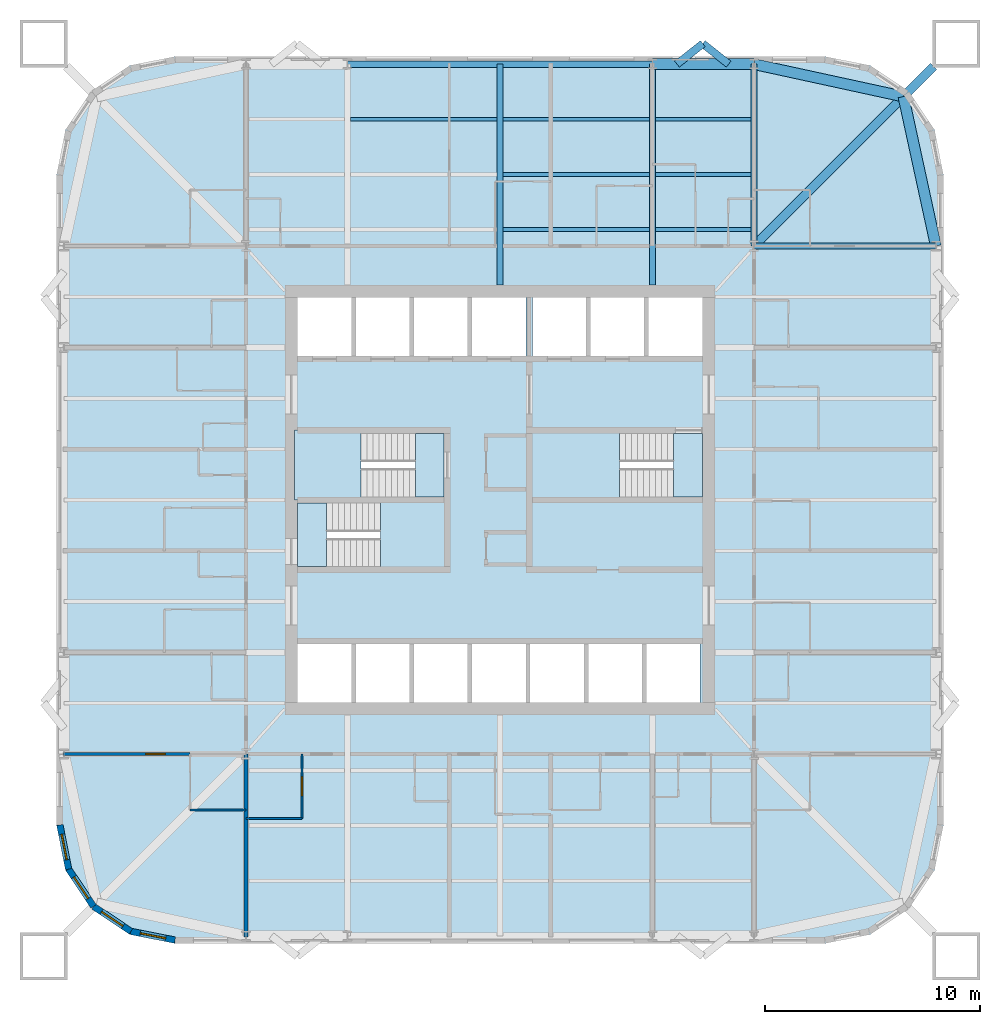
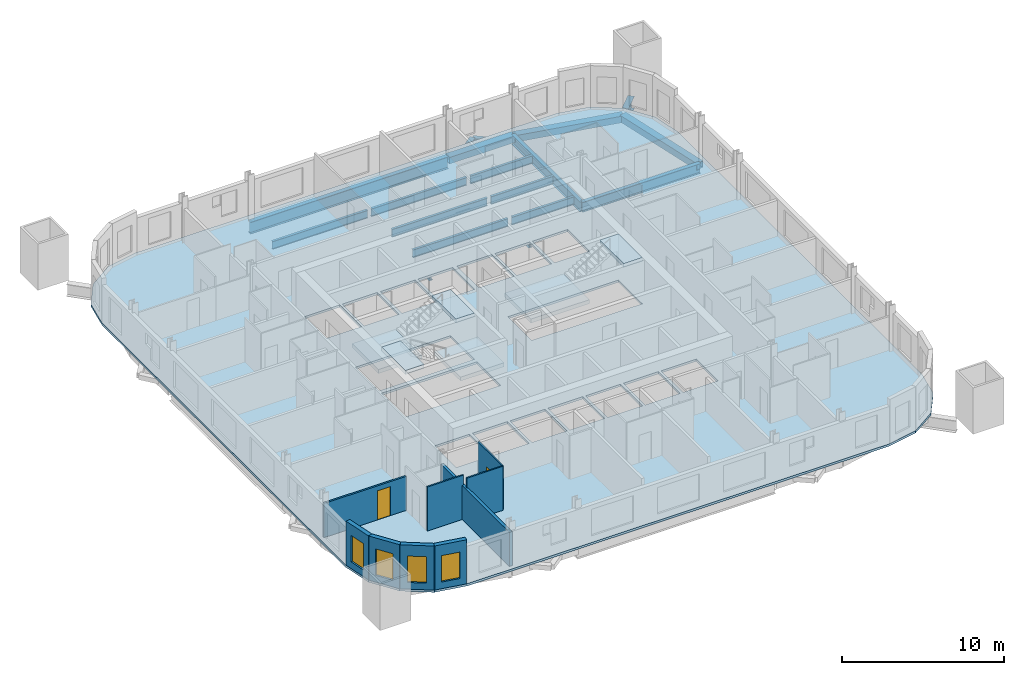
# One storey, part 2 of 10: 18 beams, 9 walls, 7 slabs, 4 windows, 2 doors, 6 openings, 3 elements without a shape of their own.
"""IFC4 building model written with IfcOpenShell, lengths in metres."""

from ifc_helpers import new_model, si_unit, direction, frame, frame_2d, origin, origin_2d, place, context, subcontext, project, spatial, polyline, rectangle, hollow_rectangle, i_section, outline, extrude, material, layer, layer_set, material_profile, profile_set, type_object, element, fill, aggregate, save


model = new_model("IFC4")

# Units and contexts
model_context = context("Model", 3, precision=1e-05, world=origin(), true_north=direction((0.0, 1.0)))
body_context = subcontext(model_context, "Body", "Model", "MODEL_VIEW")
ifc_project = project(units=[si_unit("LENGTHUNIT", "METRE"), si_unit("AREAUNIT", "SQUARE_METRE"), si_unit("VOLUMEUNIT", "CUBIC_METRE"), si_unit("PLANEANGLEUNIT", "RADIAN"), si_unit("MASSUNIT", "GRAM", prefix="KILO")], contexts=[model_context])

# Site, building, storey
site_placement = place(None, origin())
site = spatial("IfcSite", under=ifc_project, at=site_placement, CompositionType="ELEMENT")
building_placement = place(site_placement, origin())
building = spatial("IfcBuilding", under=site, at=building_placement, Name="Turquesa Mirador Hotel Tower", CompositionType="ELEMENT")
storey_placement = place(building_placement, frame((0.0, 0.0, 138.89990234375)))
storey = spatial("IfcBuildingStorey", under=building, at=storey_placement, Name="L37", CompositionType="ELEMENT", Elevation=138.89990234375)

# Beams
ifc_material_1 = material(Name="Steel ASTM A572 Grade 50", Category="steel")
ifc_material_profile_1 = material_profile(ifc_material_1, hollow_rectangle(XDim=0.5, YDim=0.5, WallThickness=0.01611328125, at=origin_2d()), Name="BOX500X500X16")
ifc_profile_set_1 = profile_set([ifc_material_profile_1], Name="Steel ASTM A572 Grade 50")
beam_type_1 = type_object("IfcBeamType", Name="BEAM BOX500X500X16", PredefinedType="BEAM", material=ifc_profile_set_1)
beam_1_placement = place(storey_placement, frame((62.080078125, 65.25, -0.419921875), z_axis=(1.0, 0.0, 0.0), x_axis=(0.0, 1.0, 0.0)))
element("IfcBeam", 1, at=beam_1_placement, inside=storey, type_object=beam_type_1, Name="EB-L37-N-R", PredefinedType="BEAM", context=body_context, shape_type="SweptSolid", body=[
    extrude(hollow_rectangle(XDim=0.5, YDim=0.5, WallThickness=0.01611328125, at=origin_2d()), origin(), (0.0, 0.0, 1.0), 4.719970703125),
])
for number, where, z_axis, x_axis, name in (
    (2, (75.25, 56.800048828125, -0.419921875), (-0.212328336885, 0.977198381781, 0.0), (-0.977198381781, -0.212328336885, 0.0), "KE-L37-1-0"),
    (3, (73.74169921875, 63.74169921875, -0.419921875), (-0.977198381781, 0.212328336885, 0.0), (-0.212328336885, -0.977198381781, 0.0), "KE-L37-1-1"),
):
    element("IfcBeam", number, at=place(storey_placement, frame(where, z_axis=z_axis, x_axis=x_axis)), inside=storey, type_object=beam_type_1, Name=name, PredefinedType="BEAM", context=body_context, shape_type="SweptSolid", body=[
        extrude(hollow_rectangle(XDim=0.5, YDim=0.5, WallThickness=0.01611328125, at=origin_2d()), origin(), (0.0, 0.0, 1.0), 7.103515625),
    ])
ifc_material_2 = material(Name="Steel ASTM A992 Grade 50", Category="steel")
ifc_material_profile_2 = material_profile(ifc_material_2, i_section(OverallWidth=0.177978515625, OverallDepth=0.599365234375, WebThickness=0.010009765625, FlangeThickness=0.012939453125, at=origin_2d()), Name="W24X55")
ifc_profile_set_2 = profile_set([ifc_material_profile_2], Name="Steel ASTM A992 Grade 50")
beam_type_2 = type_object("IfcBeamType", Name="BEAM W24X55", PredefinedType="BEAM", material=ifc_profile_set_2)
beam_2_placement = place(storey_placement, frame((55.13330078125, 57.56201171875, -0.4697265625), z_axis=(1.0, 0.0, 0.0), x_axis=(0.0, 1.0, 0.0)))
element("IfcBeam", 4, at=beam_2_placement, inside=storey, type_object=beam_type_2, Name="IB-L37-N-1-2", PredefinedType="BEAM", context=body_context, shape_type="SweptSolid", body=[
    extrude(i_section(OverallWidth=0.177978515625, OverallDepth=0.599365234375, WebThickness=0.010009765625, FlangeThickness=0.012939453125, at=origin_2d()), origin(), (0.0, 0.0, 1.0), 6.813232421875),
])
beam_3_placement = place(storey_placement, frame((62.21337890625, 57.56201171875, -0.4697265625), z_axis=(1.0, 0.0, 0.0), x_axis=(0.0, 1.0, 0.0)))
element("IfcBeam", 5, at=beam_3_placement, inside=storey, type_object=beam_type_2, Name="IB-L37-N-1-3", PredefinedType="BEAM", context=body_context, shape_type="SweptSolid", body=[
    extrude(i_section(OverallWidth=0.177978515625, OverallDepth=0.599365234375, WebThickness=0.010009765625, FlangeThickness=0.012939453125, at=origin_2d()), origin(), (0.0, 0.0, 1.0), 4.453369140625),
])
beam_4_placement = place(storey_placement, frame((55.13330078125, 60.125, -0.4697265625), z_axis=(1.0, 0.0, 0.0), x_axis=(0.0, 1.0, 0.0)))
element("IfcBeam", 6, at=beam_4_placement, inside=storey, type_object=beam_type_2, Name="IB-L37-N-2-2", PredefinedType="BEAM", context=body_context, shape_type="SweptSolid", body=[
    extrude(i_section(OverallWidth=0.177978515625, OverallDepth=0.599365234375, WebThickness=0.010009765625, FlangeThickness=0.012939453125, at=origin_2d()), origin(), (0.0, 0.0, 1.0), 6.813232421875),
])
beam_5_placement = place(storey_placement, frame((62.21337890625, 60.125, -0.4697265625), z_axis=(1.0, 0.0, 0.0), x_axis=(0.0, 1.0, 0.0)))
element("IfcBeam", 7, at=beam_5_placement, inside=storey, type_object=beam_type_2, Name="IB-L37-N-2-3", PredefinedType="BEAM", context=body_context, shape_type="SweptSolid", body=[
    extrude(i_section(OverallWidth=0.177978515625, OverallDepth=0.599365234375, WebThickness=0.010009765625, FlangeThickness=0.012939453125, at=origin_2d()), origin(), (0.0, 0.0, 1.0), 4.453369140625),
])
for number, where, z_axis, x_axis, name in (
    (8, (48.053466796875, 62.68798828125, -0.4697265625), (1.0, 0.0, 0.0), (0.0, 1.0, 0.0), "IB-L37-N-3-1"),
    (9, (55.13330078125, 62.68798828125, -0.4697265625), (1.0, 0.0, 0.0), (0.0, 1.0, 0.0), "IB-L37-N-3-2"),
):
    element("IfcBeam", number, at=place(storey_placement, frame(where, z_axis=z_axis, x_axis=x_axis)), inside=storey, type_object=beam_type_2, Name=name, PredefinedType="BEAM", context=body_context, shape_type="SweptSolid", body=[
        extrude(i_section(OverallWidth=0.177978515625, OverallDepth=0.599365234375, WebThickness=0.010009765625, FlangeThickness=0.012939453125, at=origin_2d()), origin(), (0.0, 0.0, 1.0), 6.813232421875),
    ])
beam_6_placement = place(storey_placement, frame((62.21337890625, 62.68798828125, -0.4697265625), z_axis=(1.0, 0.0, 0.0), x_axis=(0.0, 1.0, 0.0)))
element("IfcBeam", 10, at=beam_6_placement, inside=storey, type_object=beam_type_2, Name="IB-L37-N-3-3", PredefinedType="BEAM", context=body_context, shape_type="SweptSolid", body=[
    extrude(i_section(OverallWidth=0.177978515625, OverallDepth=0.599365234375, WebThickness=0.010009765625, FlangeThickness=0.012939453125, at=origin_2d()), origin(), (0.0, 0.0, 1.0), 4.453369140625),
])
ifc_material_3 = material(Name="Steel ASTM A992 Grade 50", Category="steel")
ifc_material_profile_3 = material_profile(ifc_material_3, i_section(OverallWidth=0.2666015625, OverallDepth=0.7568359375, WebThickness=0.013916015625, FlangeThickness=0.019287109375, at=origin_2d()), Name="W30X108")
ifc_profile_set_3 = profile_set([ifc_material_profile_3], Name="Steel ASTM A992 Grade 50")
beam_type_3 = type_object("IfcBeamType", Name="BEAM W30X108", PredefinedType="BEAM", material=ifc_profile_set_3)
for number, where, z_axis, x_axis, name in (
    (11, (62.080078125, 65.25, -0.54833984375), (0.0, -1.0, 0.0), (1.0, 0.0, 0.0), "GD-L37-N-+7.08"),
    (12, (55.0, 65.25, -0.54833984375), (0.0, -1.0, 0.0), (1.0, 0.0, 0.0), "GD-L37-N-+0.00"),
):
    element("IfcBeam", number, at=place(storey_placement, frame(where, z_axis=z_axis, x_axis=x_axis)), inside=storey, type_object=beam_type_3, Name=name, PredefinedType="BEAM", context=body_context, shape_type="SweptSolid", body=[
        extrude(i_section(OverallWidth=0.2666015625, OverallDepth=0.7568359375, WebThickness=0.013916015625, FlangeThickness=0.019287109375, at=origin_2d()), origin(), (0.0, 0.0, 1.0), 10.25),
    ])
for number, where, z_axis, x_axis, name in (
    (13, (66.800048828125, 65.25, -0.54833984375), (0.0, -1.0, 0.0), (1.0, 0.0, 0.0), "GK-L37-N-+11.80"),
    (14, (75.25, 56.800048828125, -0.54833984375), (-1.0, 0.0, 0.0), (0.0, -1.0, 0.0), "GK-L37-E-+11.80"),
):
    element("IfcBeam", number, at=place(storey_placement, frame(where, z_axis=z_axis, x_axis=x_axis)), inside=storey, type_object=beam_type_3, Name=name, PredefinedType="BEAM", context=body_context, shape_type="SweptSolid", body=[
        extrude(i_section(OverallWidth=0.2666015625, OverallDepth=0.7568359375, WebThickness=0.013916015625, FlangeThickness=0.019287109375, at=origin_2d()), origin(), (0.0, 0.0, 1.0), 8.449951171875),
    ])
ifc_material_4 = material(Name="Steel ASTM A992 Grade 50", Category="steel")
ifc_material_profile_4 = material_profile(ifc_material_4, i_section(OverallWidth=0.3046875, OverallDepth=0.911865234375, WebThickness=0.015869140625, FlangeThickness=0.02392578125, at=origin_2d()), Name="W36X150")
ifc_profile_set_4 = profile_set([ifc_material_profile_4], Name="Steel ASTM A992 Grade 50")
beam_type_4 = type_object("IfcBeamType", Name="BEAM W36X150", PredefinedType="BEAM", material=ifc_profile_set_4)
beam_7_placement = place(storey_placement, frame((47.919921875, 65.25, -0.625732421875), z_axis=(1.0, 0.0, 0.0), x_axis=(0.0, 1.0, 0.0)))
element("IfcBeam", 15, at=beam_7_placement, inside=storey, type_object=beam_type_4, Name="EB-L37-N-C", PredefinedType="BEAM", context=body_context, shape_type="SweptSolid", body=[
    extrude(i_section(OverallWidth=0.3046875, OverallDepth=0.911865234375, WebThickness=0.015869140625, FlangeThickness=0.02392578125, at=origin_2d()), origin(), (0.0, 0.0, 1.0), 14.16015625),
])
ifc_material_5 = material(Name="Steel ASTM A992 Grade 50", Category="steel")
ifc_material_profile_5 = material_profile(ifc_material_5, i_section(OverallWidth=0.419189453125, OverallDepth=0.927001953125, WebThickness=0.019287109375, FlangeThickness=0.031982421875, at=origin_2d()), Name="W36X231")
ifc_profile_set_5 = profile_set([ifc_material_profile_5], Name="Steel ASTM A992 Grade 50")
beam_type_5 = type_object("IfcBeamType", Name="BEAM W36X231", PredefinedType="BEAM", material=ifc_profile_set_5)
beam_8_placement = place(storey_placement, frame((66.800048828125, 56.800048828125, -0.633544921875), z_axis=(0.707106781187, 0.707106781187, 0.0), x_axis=(-0.707106781187, 0.707106781187, 0.0)))
element("IfcBeam", 16, at=beam_8_placement, inside=storey, type_object=beam_type_5, Name="KD-L37-1", PredefinedType="BEAM", context=body_context, shape_type="SweptSolid", body=[
    extrude(i_section(OverallWidth=0.419189453125, OverallDepth=0.927001953125, WebThickness=0.019287109375, FlangeThickness=0.031982421875, at=origin_2d()), origin(), (0.0, 0.0, 1.0), 11.80859375),
])
ifc_material_6 = material(Name="Steel ASTM A500 Grade C", Category="steel")
ifc_material_profile_6 = material_profile(ifc_material_6, hollow_rectangle(XDim=0.355712890625, YDim=0.355712890625, WallThickness=0.0146484375, at=origin_2d()), Name="HSS14X14X5/8")
ifc_profile_set_6 = profile_set([ifc_material_profile_6], Name="Steel ASTM A500 Grade C")
beam_type_6 = type_object("IfcBeamType", Name="BRACE STRUT HSS14X14X5/8", PredefinedType="BEAM", material=ifc_profile_set_6)
beam_9_placement = place(storey_placement, frame((64.422119140625, 66.199951171875, -0.34765625), z_axis=(-0.784049059149, -0.620698858423, 0.0), x_axis=(0.620698858423, -0.784049059149, 0.0)))
element("IfcBeam", 17, at=beam_9_placement, inside=storey, type_object=beam_type_6, Name="Brace strut", PredefinedType="BEAM", context=body_context, shape_type="SweptSolid", body=[
    extrude(hollow_rectangle(XDim=0.355712890625, YDim=0.355712890625, WallThickness=0.0146484375, at=origin_2d()), origin(), (0.0, 0.0, 1.0), 1.530517578125),
])
beam_10_placement = place(storey_placement, frame((64.422119140625, 66.199951171875, -0.34765625), z_axis=(0.784110506071, -0.620621232531, 0.0), x_axis=(0.620621232531, 0.784110506071, 0.0)))
element("IfcBeam", 18, at=beam_10_placement, inside=storey, type_object=beam_type_6, Name="Brace strut", PredefinedType="BEAM", context=body_context, shape_type="SweptSolid", body=[
    extrude(hollow_rectangle(XDim=0.355712890625, YDim=0.355712890625, WallThickness=0.0146484375, at=origin_2d()), origin(), (0.0, 0.0, 1.0), 1.53076171875),
])

# Slab
ifc_material_7 = material(Name="Concrete C28/35", Category="concrete")
ifc_layer_1 = layer(ifc_material_7, 0.169921875)
ifc_layer_set_1 = layer_set([ifc_layer_1], Name="COMPOSITE FLOOR SLAB 170")
slab_type_1 = type_object("IfcSlabType", Name="COMPOSITE FLOOR SLAB 170", PredefinedType="FLOOR", material=ifc_layer_set_1)
slab_1_placement = place(storey_placement, frame((0.0, 0.0, -0.169921875)))
element("IfcSlab", 19, at=slab_1_placement, inside=storey, type_object=slab_type_1, Name="Floor slab L37", PredefinedType="FLOOR", context=body_context, shape_type="SweptSolid", body=[
    extrude(outline(polyline([(70.10009765625, 24.39990234375), (72.204833984375, 24.818603515625), (73.989013671875, 26.010986328125), (75.181396484375, 27.795166015625), (75.60009765625, 29.89990234375), (75.60009765625, 60.10009765625), (75.181396484375, 62.204833984375), (73.989013671875, 63.989013671875), (72.204833984375, 65.181396484375), (70.10009765625, 65.60009765625), (39.89990234375, 65.60009765625), (37.795166015625, 65.181396484375), (36.010986328125, 63.989013671875), (34.818603515625, 62.204833984375), (34.39990234375, 60.10009765625), (34.39990234375, 29.89990234375), (34.818603515625, 27.795166015625), (36.010986328125, 26.010986328125), (37.795166015625, 24.818603515625), (39.89990234375, 24.39990234375), (70.10009765625, 24.39990234375)]), holes=[polyline([(45.60009765625, 51.699951171875), (48.10009765625, 51.699951171875), (48.10009765625, 54.39990234375), (45.60009765625, 54.39990234375), (45.60009765625, 51.699951171875)]), polyline([(48.300048828125, 51.699951171875), (50.800048828125, 51.699951171875), (50.800048828125, 54.39990234375), (48.300048828125, 54.39990234375), (48.300048828125, 51.699951171875)]), polyline([(51.0, 51.699951171875), (53.5, 51.699951171875), (53.5, 54.39990234375), (51.0, 54.39990234375), (51.0, 51.699951171875)]), polyline([(53.699951171875, 51.699951171875), (56.199951171875, 51.699951171875), (56.199951171875, 54.39990234375), (53.699951171875, 54.39990234375), (53.699951171875, 51.699951171875)]), polyline([(56.5, 51.699951171875), (59.0, 51.699951171875), (59.0, 54.39990234375), (56.5, 54.39990234375), (56.5, 51.699951171875)]), polyline([(59.199951171875, 51.699951171875), (61.699951171875, 51.699951171875), (61.699951171875, 54.39990234375), (59.199951171875, 54.39990234375), (59.199951171875, 51.699951171875)]), polyline([(45.60009765625, 35.60009765625), (48.10009765625, 35.60009765625), (48.10009765625, 38.300048828125), (45.60009765625, 38.300048828125), (45.60009765625, 35.60009765625)]), polyline([(48.300048828125, 35.60009765625), (50.800048828125, 35.60009765625), (50.800048828125, 38.300048828125), (48.300048828125, 38.300048828125), (48.300048828125, 35.60009765625)]), polyline([(51.0, 35.60009765625), (53.5, 35.60009765625), (53.5, 38.300048828125), (51.0, 38.300048828125), (51.0, 35.60009765625)]), polyline([(53.699951171875, 35.60009765625), (56.199951171875, 35.60009765625), (56.199951171875, 38.300048828125), (53.699951171875, 38.300048828125), (53.699951171875, 35.60009765625)]), polyline([(56.39990234375, 35.60009765625), (58.89990234375, 35.60009765625), (58.89990234375, 38.300048828125), (56.39990234375, 38.300048828125), (56.39990234375, 35.60009765625)]), polyline([(59.10009765625, 35.60009765625), (61.60009765625, 35.60009765625), (61.60009765625, 38.300048828125), (59.10009765625, 38.300048828125), (59.10009765625, 35.60009765625)]), polyline([(61.800048828125, 35.60009765625), (64.300048828125, 35.60009765625), (64.300048828125, 38.300048828125), (61.800048828125, 38.300048828125), (61.800048828125, 35.60009765625)]), polyline([(45.60009765625, 45.14990234375), (52.39990234375, 45.14990234375), (52.39990234375, 48.10009765625), (45.60009765625, 48.10009765625), (45.60009765625, 45.14990234375)]), polyline([(45.60009765625, 41.89990234375), (52.39990234375, 41.89990234375), (52.39990234375, 44.85009765625), (45.60009765625, 44.85009765625), (45.60009765625, 41.89990234375)]), polyline([(56.5, 45.14990234375), (64.39990234375, 45.14990234375), (64.39990234375, 48.10009765625), (56.5, 48.10009765625), (56.5, 45.14990234375)]), polyline([(61.89990234375, 51.699951171875), (64.39990234375, 51.699951171875), (64.39990234375, 54.39990234375), (61.89990234375, 54.39990234375), (61.89990234375, 51.699951171875)])]), origin(), (0.0, 0.0, 1.0), 0.169921875),
])

# Stair, slabs
ifc_material_8 = material(Name="Concrete C35/45", Category="concrete")
stair_type = type_object("IfcStairType", Name="ESCAPE STAIR CORE", PredefinedType="HALF_TURN_STAIR", material=ifc_material_8)
stair_1_placement = place(storey_placement, origin())
stair_1 = element("IfcStair", 20, at=stair_1_placement, inside=storey, type_object=stair_type, Name="Stair ST1 L37 to L38", PredefinedType="HALF_TURN_STAIR")
ifc_material_9 = material(Name="Concrete C35/45", Category="concrete")
ifc_layer_2 = layer(ifc_material_9, 0.300048828125)
ifc_layer_set_2 = layer_set([ifc_layer_2], Name="STAIR LANDING 300")
slab_type_2 = type_object("IfcSlabType", Name="STAIR LANDING 300", PredefinedType="LANDING", material=ifc_layer_set_2)
slab_2_placement = place(storey_placement, frame((0.0, 0.0, 1.4501953125)))
slab_2 = element("IfcSlab", 21, at=slab_2_placement, type_object=slab_type_2, Name="ST1 landing 1", PredefinedType="LANDING", context=body_context, shape_type="SweptSolid", body=[
    extrude(outline(polyline([(45.449951171875, 45.0), (48.550048828125, 45.0), (48.550048828125, 48.25), (45.449951171875, 48.25), (45.449951171875, 45.0)])), origin(), (0.0, 0.0, 1.0), 0.2998046875),
])
slab_3_placement = place(storey_placement, frame((0.0, 0.0, 3.2001953125)))
slab_3 = element("IfcSlab", 22, at=slab_3_placement, type_object=slab_type_2, Name="ST1 landing 2", PredefinedType="LANDING", context=body_context, shape_type="SweptSolid", body=[
    extrude(outline(polyline([(51.070068359375, 45.14990234375), (52.39990234375, 45.14990234375), (52.39990234375, 48.10009765625), (51.070068359375, 48.10009765625), (51.070068359375, 45.14990234375)])), origin(), (0.0, 0.0, 1.0), 0.2998046875),
])
aggregate(stair_1, [slab_2, slab_3])

stair_2_placement = place(storey_placement, origin())
stair_2 = element("IfcStair", 23, at=stair_2_placement, inside=storey, type_object=stair_type, Name="Stair ST2 L37 to L38", PredefinedType="HALF_TURN_STAIR")
slab_4_placement = place(storey_placement, frame((0.0, 0.0, 1.4501953125)))
slab_4 = element("IfcSlab", 24, at=slab_4_placement, type_object=slab_type_2, Name="ST2 landing 1", PredefinedType="LANDING", context=body_context, shape_type="SweptSolid", body=[
    extrude(outline(polyline([(52.550048828125, 45.0), (49.449951171875, 45.0), (49.449951171875, 41.75), (52.550048828125, 41.75), (52.550048828125, 45.0)])), origin(), (0.0, 0.0, 1.0), 0.2998046875),
])
slab_5_placement = place(storey_placement, frame((0.0, 0.0, 3.2001953125)))
slab_5 = element("IfcSlab", 25, at=slab_5_placement, type_object=slab_type_2, Name="ST2 landing 2", PredefinedType="LANDING", context=body_context, shape_type="SweptSolid", body=[
    extrude(outline(polyline([(46.929931640625, 44.85009765625), (45.60009765625, 44.85009765625), (45.60009765625, 41.89990234375), (46.929931640625, 41.89990234375), (46.929931640625, 44.85009765625)])), origin(), (0.0, 0.0, 1.0), 0.2998046875),
])
aggregate(stair_2, [slab_4, slab_5])

stair_3_placement = place(storey_placement, origin())
stair_3 = element("IfcStair", 26, at=stair_3_placement, inside=storey, type_object=stair_type, Name="Stair ST3 L37 to L38", PredefinedType="HALF_TURN_STAIR")
slab_6_placement = place(storey_placement, frame((0.0, 0.0, 1.4501953125)))
slab_6 = element("IfcSlab", 27, at=slab_6_placement, type_object=slab_type_2, Name="ST3 landing 1", PredefinedType="LANDING", context=body_context, shape_type="SweptSolid", body=[
    extrude(outline(polyline([(56.35009765625, 45.0), (60.550048828125, 45.0), (60.550048828125, 48.25), (56.35009765625, 48.25), (56.35009765625, 45.0)])), origin(), (0.0, 0.0, 1.0), 0.2998046875),
])
slab_7_placement = place(storey_placement, frame((0.0, 0.0, 3.2001953125)))
slab_7 = element("IfcSlab", 28, at=slab_7_placement, type_object=slab_type_2, Name="ST3 landing 2", PredefinedType="LANDING", context=body_context, shape_type="SweptSolid", body=[
    extrude(outline(polyline([(63.070068359375, 45.14990234375), (64.39990234375, 45.14990234375), (64.39990234375, 48.10009765625), (63.070068359375, 48.10009765625), (63.070068359375, 45.14990234375)])), origin(), (0.0, 0.0, 1.0), 0.2998046875),
])
aggregate(stair_3, [slab_6, slab_7])

# Walls
ifc_material_10 = material(Name="Gypsum board on steel studs", Category="steel")
ifc_layer_3 = layer(ifc_material_10, 0.10009765625)
ifc_layer_set_3 = layer_set([ifc_layer_3], Name="BATHROOM WALL 100")
wall_type_1 = type_object("IfcWallType", Name="BATHROOM WALL 100", PredefinedType="PARTITIONING", material=ifc_layer_set_3)
wall_1_placement = place(storey_placement, frame((40.60009765625, 30.60009765625, 0.0), z_axis=(0.0, 0.0, 1.0), x_axis=(1.0, 0.0, 0.0)))
element("IfcWall", 29, at=wall_1_placement, inside=storey, type_object=wall_type_1, Name="Partition L37 010", PredefinedType="PARTITIONING", context=body_context, shape_type="SweptSolid", body=[
    extrude(rectangle(XDim=2.599853515625, YDim=0.10009765625, at=frame_2d((1.2998046875, 0.0))), origin(), (0.0, 0.0, 1.0), 3.330078125),
])
wall_2_placement = place(storey_placement, frame((43.199951171875, 30.199951171875, 0.0), z_axis=(0.0, 0.0, 1.0), x_axis=(1.0, 0.0, 0.0)))
element("IfcWall", 30, at=wall_2_placement, inside=storey, type_object=wall_type_1, Name="Partition L37 014", PredefinedType="PARTITIONING", context=body_context, shape_type="SweptSolid", body=[
    extrude(rectangle(XDim=2.60009765625, YDim=0.10009765625, at=frame_2d((1.300048828125, 0.0))), origin(), (0.0, 0.0, 1.0), 3.330078125),
])

# Wall, opening, door
wall_3_placement = place(storey_placement, frame((45.800048828125, 30.199951171875, 0.0), z_axis=(0.0, 0.0, 1.0), x_axis=(0.0, 1.0, 0.0)))
wall_3 = element("IfcWall", 31, at=wall_3_placement, inside=storey, type_object=wall_type_1, Name="Partition L37 067", PredefinedType="PARTITIONING", context=body_context, shape_type="SweptSolid", body=[
    extrude(rectangle(XDim=3.0, YDim=0.10009765625, at=frame_2d((1.5, 0.0))), origin(), (0.0, 0.0, 1.0), 3.330078125),
])
opening_1_placement = place(wall_3_placement, frame((1.050048828125, 0.0, 0.0)))
opening_1 = element("IfcOpeningElement", 32, at=opening_1_placement, cuts=wall_3, Name="Opening D02", PredefinedType="OPENING", context=body_context, shape_type="SweptSolid", body=[
    extrude(rectangle(XDim=0.89990234375, YDim=2.10009765625, at=frame_2d((0.449951171875, 1.050048828125))), frame((0.0, 0.06005859375, 0.0), z_axis=(0.0, -1.0, 0.0), x_axis=(1.0, 0.0, 0.0)), (0.0, 0.0, 1.0), 0.1201171875),
])
ifc_material_11 = material(Name="Timber veneered door", Category="wood")
door_type_1 = type_object("IfcDoorType", Name="DOOR 900X2100 EN-SUITE", OperationType="SINGLE_SWING_RIGHT", PredefinedType="DOOR", material=ifc_material_11)
door_1_placement = place(opening_1_placement, origin())
door_1 = element("IfcDoor", 33, at=door_1_placement, inside=storey, type_object=door_type_1, Name="Door 3704B", OperationType="SINGLE_SWING_RIGHT", OverallHeight=2.10009765625, OverallWidth=0.89990234375, PredefinedType="DOOR", context=body_context, shape_type="SweptSolid", body=[
    extrude(rectangle(XDim=0.89990234375, YDim=2.10009765625, at=frame_2d((0.449951171875, 1.050048828125))), frame((0.0, 0.02490234375, 0.0), z_axis=(0.0, -1.0, 0.0), x_axis=(1.0, 0.0, 0.0)), (0.0, 0.0, 1.0), 0.050048828125),
])
fill(opening_1, door_1)

# Wall, opening, window
ifc_material_12 = material(Name="Limestone cladding on concrete block", Category="masonry")
ifc_layer_4 = layer(ifc_material_12, 0.300048828125)
ifc_layer_set_4 = layer_set([ifc_layer_4], Name="FACADE WALL 300 STONE SCREEN")
wall_type_2 = type_object("IfcWallType", Name="FACADE WALL 300 STONE SCREEN", PredefinedType="SOLIDWALL", material=ifc_layer_set_4)
wall_4_placement = place(storey_placement, frame((34.550048828125, 29.89990234375, 0.0), z_axis=(0.0, 0.0, 1.0), x_axis=(0.195081421501, -0.980787050784, 0.0)))
wall_4 = element("IfcWall", 34, at=wall_4_placement, inside=storey, type_object=wall_type_2, Name="Facade wall L37 15", PredefinedType="SOLIDWALL", context=body_context, shape_type="SweptSolid", body=[
    extrude(rectangle(XDim=2.08740234375, YDim=0.300048828125, at=frame_2d((1.043701171875, 0.0))), origin(), (0.0, 0.0, 1.0), 3.330078125),
])
opening_2_placement = place(wall_4_placement, frame((0.443603515625, 0.0, 0.5)))
opening_2 = element("IfcOpeningElement", 35, at=opening_2_placement, cuts=wall_4, Name="Opening WN4", PredefinedType="OPENING", context=body_context, shape_type="SweptSolid", body=[
    extrude(rectangle(XDim=1.199951171875, YDim=2.0, at=frame_2d((0.60009765625, 1.0))), frame((0.0, 0.159912109375, 0.0), z_axis=(0.0, -1.0, 0.0), x_axis=(1.0, 0.0, 0.0)), (0.0, 0.0, 1.0), 0.320068359375),
])
ifc_material_13 = material(Name="Ceramic-fritted laminated glass", Category="glass")
window_type = type_object("IfcWindowType", Name="FRITTED CORNER WINDOW 1200X2000", PartitioningType="DOUBLE_PANEL_HORIZONTAL", PredefinedType="WINDOW", material=ifc_material_13)
window_1_placement = place(opening_2_placement, origin())
window_1 = element("IfcWindow", 36, at=window_1_placement, inside=storey, type_object=window_type, Name="Window L37", OverallHeight=2.0, OverallWidth=1.199951171875, PartitioningType="SINGLE_PANEL", PredefinedType="WINDOW", context=body_context, shape_type="SweptSolid", body=[
    extrude(rectangle(XDim=1.199951171875, YDim=2.0, at=frame_2d((0.60009765625, 1.0))), frame((0.0, 0.030029296875, 0.0), z_axis=(0.0, -1.0, 0.0), x_axis=(1.0, 0.0, 0.0)), (0.0, 0.0, 1.0), 0.06005859375),
])
fill(opening_2, window_1)

wall_5_placement = place(storey_placement, frame((34.957275390625, 27.8525390625, 0.0), z_axis=(0.0, 0.0, 1.0), x_axis=(0.555563607591, -0.831474039234, 0.0)))
wall_5 = element("IfcWall", 37, at=wall_5_placement, inside=storey, type_object=wall_type_2, Name="Facade wall L37 16", PredefinedType="SOLIDWALL", context=body_context, shape_type="SweptSolid", body=[
    extrude(rectangle(XDim=2.08740234375, YDim=0.300048828125, at=frame_2d((1.043701171875, 0.0))), origin(), (0.0, 0.0, 1.0), 3.330078125),
])
opening_3_placement = place(wall_5_placement, frame((0.443603515625, 0.0, 0.5)))
opening_3 = element("IfcOpeningElement", 38, at=opening_3_placement, cuts=wall_5, Name="Opening WN4", PredefinedType="OPENING", context=body_context, shape_type="SweptSolid", body=[
    extrude(rectangle(XDim=1.199951171875, YDim=2.0, at=frame_2d((0.60009765625, 1.0))), frame((0.0, 0.159912109375, 0.0), z_axis=(0.0, -1.0, 0.0), x_axis=(1.0, 0.0, 0.0)), (0.0, 0.0, 1.0), 0.320068359375),
])
window_2_placement = place(opening_3_placement, origin())
window_2 = element("IfcWindow", 39, at=window_2_placement, inside=storey, type_object=window_type, Name="Window L37", OverallHeight=2.0, OverallWidth=1.199951171875, PartitioningType="SINGLE_PANEL", PredefinedType="WINDOW", context=body_context, shape_type="SweptSolid", body=[
    extrude(rectangle(XDim=1.199951171875, YDim=2.0, at=frame_2d((0.60009765625, 1.0))), frame((0.0, 0.030029296875, 0.0), z_axis=(0.0, -1.0, 0.0), x_axis=(1.0, 0.0, 0.0)), (0.0, 0.0, 1.0), 0.06005859375),
])
fill(opening_3, window_2)

wall_6_placement = place(storey_placement, frame((36.116943359375, 26.116943359375, 0.0), z_axis=(0.0, 0.0, 1.0), x_axis=(0.831474039234, -0.555563607591, 0.0)))
wall_6 = element("IfcWall", 40, at=wall_6_placement, inside=storey, type_object=wall_type_2, Name="Facade wall L37 17", PredefinedType="SOLIDWALL", context=body_context, shape_type="SweptSolid", body=[
    extrude(rectangle(XDim=2.08740234375, YDim=0.300048828125, at=frame_2d((1.043701171875, 0.0))), origin(), (0.0, 0.0, 1.0), 3.330078125),
])
opening_4_placement = place(wall_6_placement, frame((0.443603515625, 0.0, 0.5)))
opening_4 = element("IfcOpeningElement", 41, at=opening_4_placement, cuts=wall_6, Name="Opening WN4", PredefinedType="OPENING", context=body_context, shape_type="SweptSolid", body=[
    extrude(rectangle(XDim=1.199951171875, YDim=2.0, at=frame_2d((0.60009765625, 1.0))), frame((0.0, 0.159912109375, 0.0), z_axis=(0.0, -1.0, 0.0), x_axis=(1.0, 0.0, 0.0)), (0.0, 0.0, 1.0), 0.320068359375),
])
window_3_placement = place(opening_4_placement, origin())
window_3 = element("IfcWindow", 42, at=window_3_placement, inside=storey, type_object=window_type, Name="Window L37", OverallHeight=2.0, OverallWidth=1.199951171875, PartitioningType="SINGLE_PANEL", PredefinedType="WINDOW", context=body_context, shape_type="SweptSolid", body=[
    extrude(rectangle(XDim=1.199951171875, YDim=2.0, at=frame_2d((0.60009765625, 1.0))), frame((0.0, 0.030029296875, 0.0), z_axis=(0.0, -1.0, 0.0), x_axis=(1.0, 0.0, 0.0)), (0.0, 0.0, 1.0), 0.06005859375),
])
fill(opening_4, window_3)

wall_7_placement = place(storey_placement, frame((37.8525390625, 24.957275390625, 0.0), z_axis=(0.0, 0.0, 1.0), x_axis=(0.980787050784, -0.195081421501, 0.0)))
wall_7 = element("IfcWall", 43, at=wall_7_placement, inside=storey, type_object=wall_type_2, Name="Facade wall L37 18", PredefinedType="SOLIDWALL", context=body_context, shape_type="SweptSolid", body=[
    extrude(rectangle(XDim=2.08740234375, YDim=0.300048828125, at=frame_2d((1.043701171875, 0.0))), origin(), (0.0, 0.0, 1.0), 3.330078125),
])
opening_5_placement = place(wall_7_placement, frame((0.443603515625, 0.0, 0.5)))
opening_5 = element("IfcOpeningElement", 44, at=opening_5_placement, cuts=wall_7, Name="Opening WN4", PredefinedType="OPENING", context=body_context, shape_type="SweptSolid", body=[
    extrude(rectangle(XDim=1.199951171875, YDim=2.0, at=frame_2d((0.60009765625, 1.0))), frame((0.0, 0.159912109375, 0.0), z_axis=(0.0, -1.0, 0.0), x_axis=(1.0, 0.0, 0.0)), (0.0, 0.0, 1.0), 0.320068359375),
])
window_4_placement = place(opening_5_placement, origin())
window_4 = element("IfcWindow", 45, at=window_4_placement, inside=storey, type_object=window_type, Name="Window L37", OverallHeight=2.0, OverallWidth=1.199951171875, PartitioningType="SINGLE_PANEL", PredefinedType="WINDOW", context=body_context, shape_type="SweptSolid", body=[
    extrude(rectangle(XDim=1.199951171875, YDim=2.0, at=frame_2d((0.60009765625, 1.0))), frame((0.0, 0.030029296875, 0.0), z_axis=(0.0, -1.0, 0.0), x_axis=(1.0, 0.0, 0.0)), (0.0, 0.0, 1.0), 0.06005859375),
])
fill(opening_5, window_4)

# Wall
ifc_material_14 = material(Name="Fire-rated gypsum board on steel studs", Category="steel")
ifc_layer_5 = layer(ifc_material_14, 0.199951171875)
ifc_layer_set_5 = layer_set([ifc_layer_5], Name="PARTY WALL 200")
wall_type_3 = type_object("IfcWallType", Name="PARTY WALL 200", PredefinedType="PARTITIONING", material=ifc_layer_set_5)
wall_8_placement = place(storey_placement, frame((43.199951171875, 24.699951171875, 0.0), z_axis=(0.0, 0.0, 1.0), x_axis=(0.0, 1.0, 0.0)))
element("IfcWall", 46, at=wall_8_placement, inside=storey, type_object=wall_type_3, Name="Partition L37 052", PredefinedType="PARTITIONING", context=body_context, shape_type="SweptSolid", body=[
    extrude(rectangle(XDim=8.5, YDim=0.199951171875, at=frame_2d((4.25, 0.0))), origin(), (0.0, 0.0, 1.0), 2.5732421875),
])

# Wall, opening, door
ifc_material_15 = material(Name="Acoustic gypsum board on steel studs", Category="steel")
ifc_layer_6 = layer(ifc_material_15, 0.125)
ifc_layer_set_6 = layer_set([ifc_layer_6], Name="SUITE PARTITION 125")
wall_type_4 = type_object("IfcWallType", Name="SUITE PARTITION 125", PredefinedType="PARTITIONING", material=ifc_layer_set_6)
wall_9_placement = place(storey_placement, frame((34.699951171875, 33.199951171875, 0.0), z_axis=(0.0, 0.0, 1.0), x_axis=(1.0, 0.0, 0.0)))
wall_9 = element("IfcWall", 47, at=wall_9_placement, inside=storey, type_object=wall_type_4, Name="Partition L37 006", PredefinedType="PARTITIONING", context=body_context, shape_type="SweptSolid", body=[
    extrude(rectangle(XDim=5.900146484375, YDim=0.125, at=frame_2d((2.9501953125, 0.0))), origin(), (0.0, 0.0, 1.0), 2.5732421875),
])
opening_6_placement = place(wall_9_placement, frame((3.85009765625, 0.0, 0.0)))
opening_6 = element("IfcOpeningElement", 48, at=opening_6_placement, cuts=wall_9, Name="Opening D17", PredefinedType="OPENING", context=body_context, shape_type="SweptSolid", body=[
    extrude(rectangle(XDim=0.89990234375, YDim=2.199951171875, at=frame_2d((0.449951171875, 1.10009765625))), frame((0.0, 0.072509765625, 0.0), z_axis=(0.0, -1.0, 0.0), x_axis=(1.0, 0.0, 0.0)), (0.0, 0.0, 1.0), 0.14501953125),
])
ifc_material_16 = material(Name="Timber veneered door", Category="wood")
door_type_2 = type_object("IfcDoorType", Name="DOOR 900X2200 SUITE INTERNAL", OperationType="SINGLE_SWING_LEFT", PredefinedType="DOOR", material=ifc_material_16)
door_2_placement = place(opening_6_placement, origin())
door_2 = element("IfcDoor", 49, at=door_2_placement, inside=storey, type_object=door_type_2, Name="Door 3716R", OperationType="SINGLE_SWING_LEFT", OverallHeight=2.199951171875, OverallWidth=0.89990234375, PredefinedType="DOOR", context=body_context, shape_type="SweptSolid", body=[
    extrude(rectangle(XDim=0.89990234375, YDim=2.199951171875, at=frame_2d((0.449951171875, 1.10009765625))), frame((0.0, 0.02490234375, 0.0), z_axis=(0.0, -1.0, 0.0), x_axis=(1.0, 0.0, 0.0)), (0.0, 0.0, 1.0), 0.050048828125),
])
fill(opening_6, door_2)

save(model, "model.ifc")
